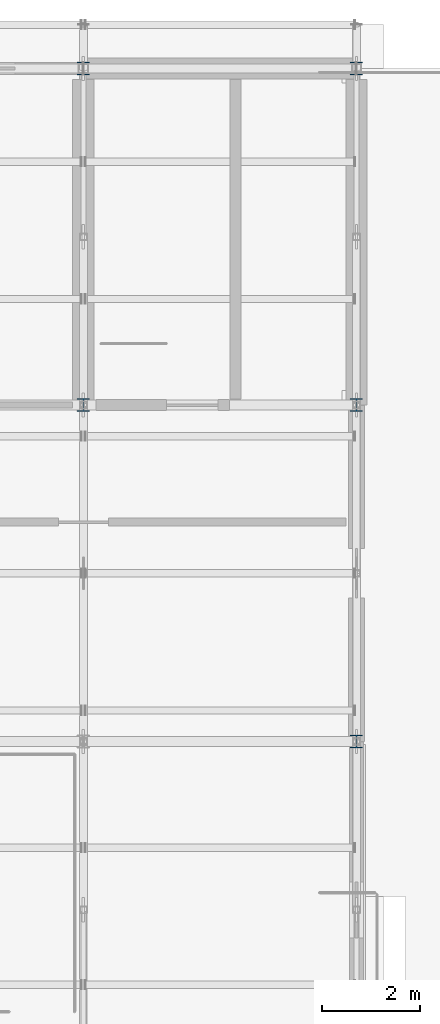
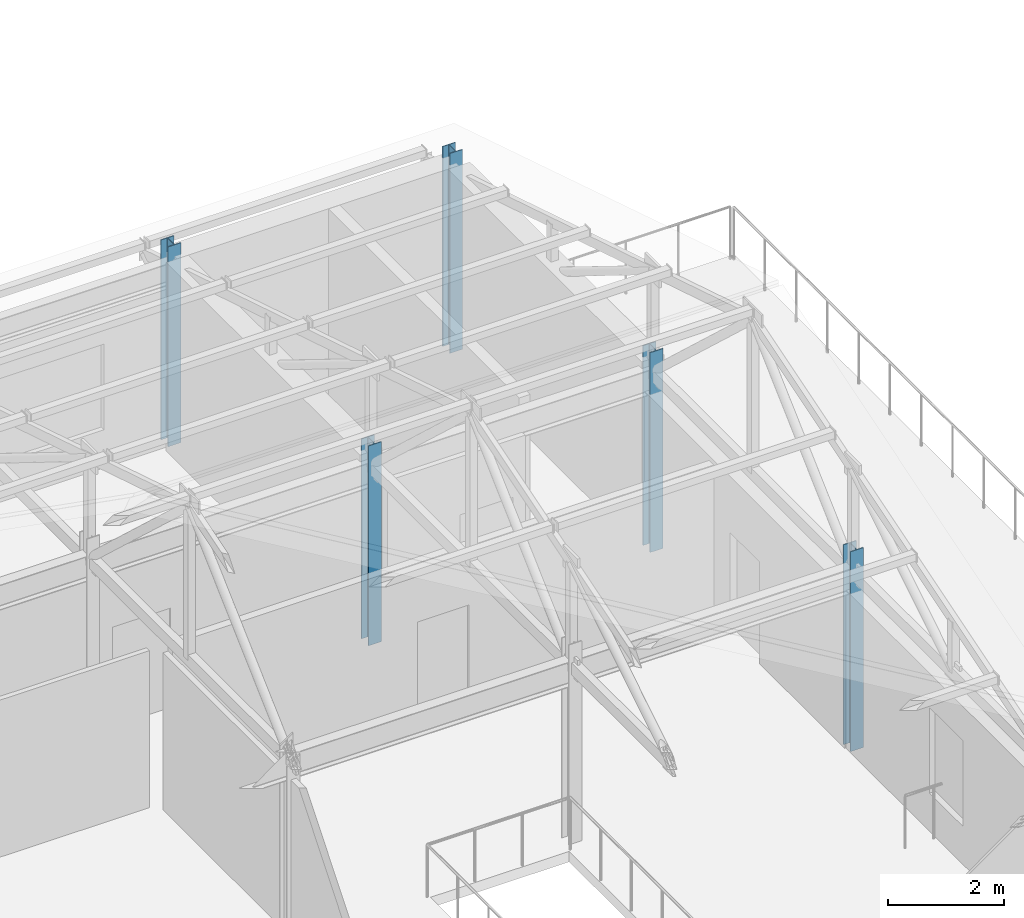
# One storey, part 14 of 144: 5 columns.
"""IFC4 building model written with IfcOpenShell, lengths in metres."""

from ifc_helpers import new_model, si_unit, direction, frame, origin, origin_2d, place, context, subcontext, project, spatial, i_section, extrude, material, material_profile, profile_set, type_object, element, save


model = new_model("IFC4")

# Units and contexts
model_context = context("Model", 3, precision=1e-05, world=origin(), true_north=direction((0.0, 1.0)))
body_context = subcontext(model_context, "Body", "Model", "MODEL_VIEW")
ifc_project = project(units=[si_unit("LENGTHUNIT", "METRE"), si_unit("AREAUNIT", "SQUARE_METRE"), si_unit("VOLUMEUNIT", "CUBIC_METRE"), si_unit("PLANEANGLEUNIT", "RADIAN"), si_unit("MASSUNIT", "GRAM", prefix="KILO")], contexts=[model_context])

# Site, building, storey
site_placement = place(None, origin())
site = spatial("IfcSite", under=ifc_project, at=site_placement, CompositionType="ELEMENT")
building_placement = place(site_placement, origin())
building = spatial("IfcBuilding", under=site, at=building_placement, Name="Trelmorton Wharf Fire Station", CompositionType="ELEMENT")
storey_placement = place(building_placement, frame((0.0, 0.0, 5.39990234375)))
storey = spatial("IfcBuildingStorey", under=building, at=storey_placement, Name="L01", CompositionType="ELEMENT", Elevation=5.39990234375)

# Columns
ifc_material = material(Name="Steel Grade 350", Category="steel")
ifc_material_profile = material_profile(ifc_material, i_section(OverallWidth=0.256103515625, OverallDepth=0.260009765625, WebThickness=0.010498046875, FlangeThickness=0.017333984375, FilletRadius=0.0126953125, at=origin_2d()), Name="250UC89.5")
ifc_profile_set = profile_set([ifc_material_profile], Name="Steel Grade 350")
column_type = type_object("IfcColumnType", Name="COL_250UC89", PredefinedType="COLUMN", material=ifc_profile_set)
for number, where, z_axis, x_axis, name in (
    (1, (34.39990234375, 74.10009765625, 0.0), (0.0, 0.0, 1.0), (1.0, 0.0, 0.0), "COL-L01-0304"),
    (2, (34.39990234375, 81.0, 0.0), (0.0, 0.0, 1.0), (1.0, 0.0, 0.0), "COL-L01-0305"),
    (3, (40.0, 67.199951171875, 0.0), (0.0, 0.0, 1.0), (1.0, 0.0, 0.0), "COL-L01-0311"),
    (4, (40.0, 74.10009765625, 0.0), (0.0, 0.0, 1.0), (1.0, 0.0, 0.0), "COL-L01-0312"),
    (5, (40.0, 81.0, 0.0), (0.0, 0.0, 1.0), (1.0, 0.0, 0.0), "COL-L01-0313"),
):
    element("IfcColumn", number, at=place(storey_placement, frame(where, z_axis=z_axis, x_axis=x_axis)), inside=storey, type_object=column_type, Name=name, PredefinedType="COLUMN", context=body_context, shape_type="SweptSolid", body=[
        extrude(i_section(OverallWidth=0.256103515625, OverallDepth=0.260009765625, WebThickness=0.010498046875, FlangeThickness=0.017333984375, FilletRadius=0.0126953125, at=origin_2d()), origin(), (0.0, 0.0, 1.0), 4.2001953125),
    ])

save(model, "model.ifc")
